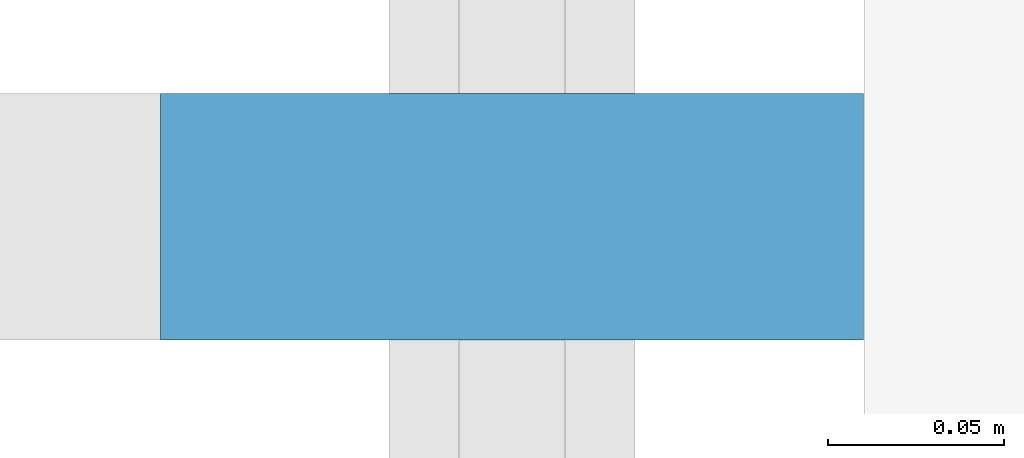
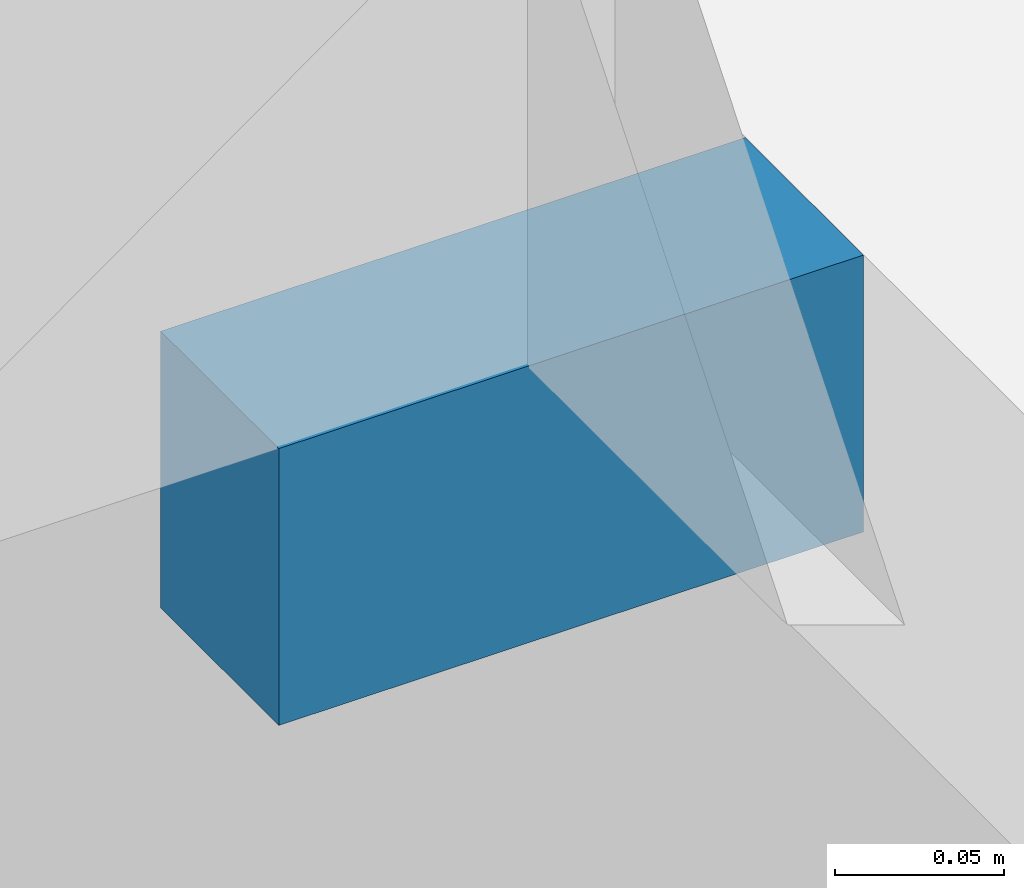
# One storey, part 12 of 16: 1 discrete accessory.
"""IFC4 building model written with IfcOpenShell, lengths in metres."""

from ifc_helpers import new_model, si_unit, direction, frame, origin, origin_2d, place, context, subcontext, project, spatial, rectangle, extrude, element, save


model = new_model("IFC4")

# Units and contexts
model_context = context("Model", 3, precision=1e-05, world=origin(), true_north=direction((0.0, 1.0)))
body_context = subcontext(model_context, "Body", "Model", "MODEL_VIEW")
ifc_project = project(units=[si_unit("LENGTHUNIT", "METRE"), si_unit("AREAUNIT", "SQUARE_METRE"), si_unit("VOLUMEUNIT", "CUBIC_METRE"), si_unit("PLANEANGLEUNIT", "RADIAN"), si_unit("MASSUNIT", "GRAM", prefix="KILO")], contexts=[model_context])

# Site, building, storey
site_placement = place(None, origin())
site = spatial("IfcSite", under=ifc_project, at=site_placement, CompositionType="ELEMENT")
building_placement = place(site_placement, origin())
building = spatial("IfcBuilding", under=site, at=building_placement, Name="Daluyong Arena Tower", CompositionType="ELEMENT")
storey_placement = place(building_placement, frame((0.0, 0.0, 240.10009765625)))
storey = spatial("IfcBuildingStorey", under=building, at=storey_placement, Name="L54", CompositionType="ELEMENT", Elevation=240.10009765625)

# Discrete accessory
discrete_accessory_placement = place(storey_placement, frame((34.25, 87.386474609375, -0.10009765625), z_axis=(0.0, 0.0, 1.0), x_axis=(0.0, -1.0, 0.0)))
element("IfcDiscreteAccessory", 1, at=discrete_accessory_placement, inside=storey, Name="curtain wall L54 W anchor bracket 4", PredefinedType="BRACKET", context=body_context, shape_type="SweptSolid", body=[
    extrude(rectangle(XDim=0.070068359375, YDim=0.199951171875, at=origin_2d()), origin(), (0.0, 0.0, 1.0), 0.10009765625),
])

save(model, "model.ifc")
